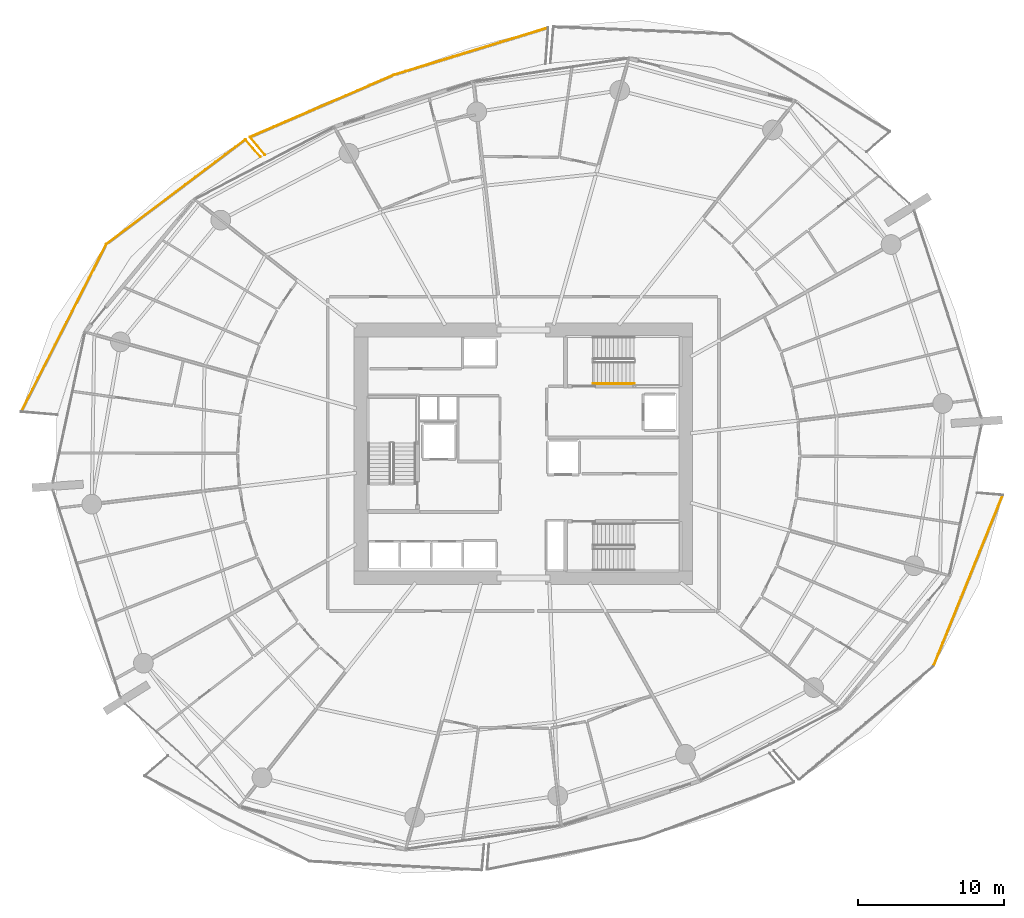
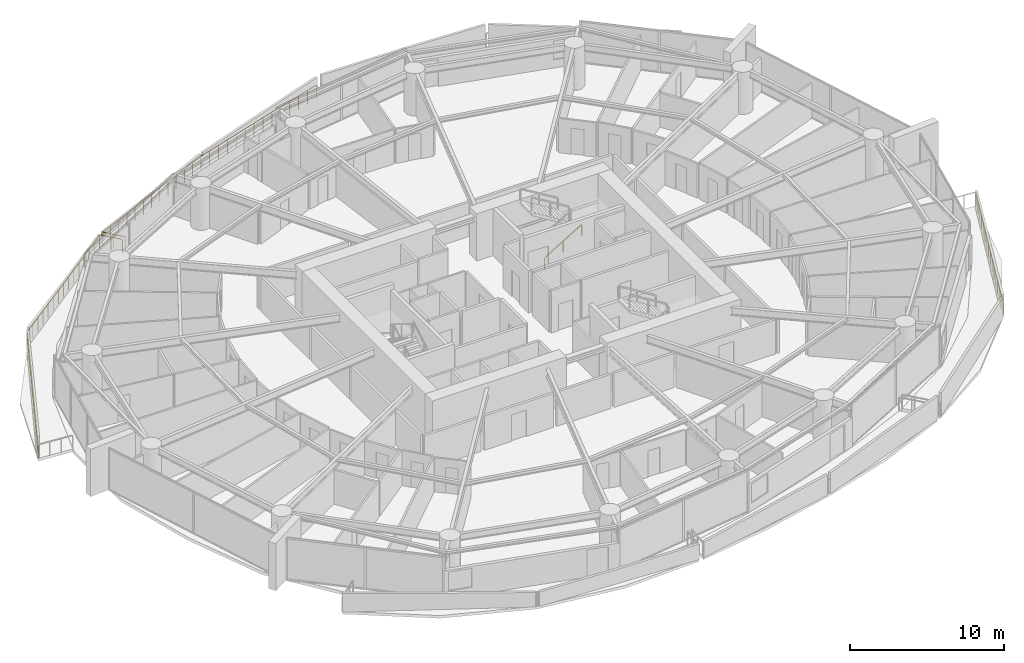
# One storey, part 29 of 31: 8 railings.
"""IFC4 building model written with IfcOpenShell, lengths in metres."""

from ifc_helpers import new_model, si_unit, direction, frame, origin, origin_2d, place, context, subcontext, project, spatial, rectangle, extrude, material, type_object, element, save


model = new_model("IFC4")

# Units and contexts
model_context = context("Model", 3, precision=1e-05, world=origin(), true_north=direction((0.0, 1.0)))
body_context = subcontext(model_context, "Body", "Model", "MODEL_VIEW")
ifc_project = project(units=[si_unit("LENGTHUNIT", "METRE"), si_unit("AREAUNIT", "SQUARE_METRE"), si_unit("VOLUMEUNIT", "CUBIC_METRE"), si_unit("PLANEANGLEUNIT", "RADIAN"), si_unit("MASSUNIT", "GRAM", prefix="KILO")], contexts=[model_context])

# Site, building, storey
site_placement = place(None, origin())
site = spatial("IfcSite", under=ifc_project, at=site_placement, CompositionType="ELEMENT")
building_placement = place(site_placement, origin())
building = spatial("IfcBuilding", under=site, at=building_placement, Name="Kazma Halo Residences", CompositionType="ELEMENT")
storey_placement = place(building_placement, frame((0.0, 0.0, 67.64990234375)))
storey = spatial("IfcBuildingStorey", under=building, at=storey_placement, Name="L16", CompositionType="ELEMENT", Elevation=67.64990234375)

# Railings
ifc_material_1 = material(Name="Aluminium AW-6063 T6 Brushed Cap Rail", Category="aluminium")
railing_type_1 = type_object("IfcRailingType", Name="RLG-BAL-CAP-1120", PredefinedType="BALUSTRADE", material=ifc_material_1)
railing_1_placement = place(storey_placement, frame((50.1142578125, 71.139892578125, 0.0)))
element("IfcRailing", 1, at=railing_1_placement, inside=storey, type_object=railing_type_1, Name="L16 NNW wave balcony guard 2", PredefinedType="BALUSTRADE", context=body_context, shape_type="SweptSolid", body=[
    extrude(rectangle(XDim=0.050048828125, YDim=0.050048828125, at=origin_2d()), frame((-0.040771484375, -0.012451171875, 1.09521484375), z_axis=(-0.956260694262, -0.29251578523, 0.0), x_axis=(0.29251578523, -0.956260694262, 0.0)), (0.0, 0.0, 1.0), 10.931884765625),
    extrude(rectangle(XDim=0.0400390625, YDim=0.0400390625, at=origin_2d()), origin(), (0.0, 0.0, 1.0), 1.05810546875),
    extrude(rectangle(XDim=0.0400390625, YDim=0.0400390625, at=origin_2d()), frame((-0.810302734375, -0.247802734375, 0.0)), (0.0, 0.0, 1.0), 1.05810546875),
    extrude(rectangle(XDim=0.0400390625, YDim=0.0400390625, at=origin_2d()), frame((-1.620849609375, -0.495849609375, 0.0)), (0.0, 0.0, 1.0), 1.05810546875),
    extrude(rectangle(XDim=0.0400390625, YDim=0.0400390625, at=origin_2d()), frame((-2.43115234375, -0.74365234375, 0.0)), (0.0, 0.0, 1.0), 1.05810546875),
    extrude(rectangle(XDim=0.0400390625, YDim=0.0400390625, at=origin_2d()), frame((-3.24169921875, -0.99169921875, 0.0)), (0.0, 0.0, 1.0), 1.05810546875),
    extrude(rectangle(XDim=0.0400390625, YDim=0.0400390625, at=origin_2d()), frame((-4.052001953125, -1.239501953125, 0.0)), (0.0, 0.0, 1.0), 1.05810546875),
    extrude(rectangle(XDim=0.0400390625, YDim=0.0400390625, at=origin_2d()), frame((-4.8623046875, -1.4873046875, 0.0)), (0.0, 0.0, 1.0), 1.05810546875),
    extrude(rectangle(XDim=0.0400390625, YDim=0.0400390625, at=origin_2d()), frame((-5.6728515625, -1.7353515625, 0.0)), (0.0, 0.0, 1.0), 1.05810546875),
    extrude(rectangle(XDim=0.0400390625, YDim=0.0400390625, at=origin_2d()), frame((-6.483154296875, -1.983154296875, 0.0)), (0.0, 0.0, 1.0), 1.05810546875),
    extrude(rectangle(XDim=0.0400390625, YDim=0.0400390625, at=origin_2d()), frame((-7.29345703125, -2.23095703125, 0.0)), (0.0, 0.0, 1.0), 1.05810546875),
    extrude(rectangle(XDim=0.0400390625, YDim=0.0400390625, at=origin_2d()), frame((-8.10400390625, -2.47900390625, 0.0)), (0.0, 0.0, 1.0), 1.05810546875),
    extrude(rectangle(XDim=0.0400390625, YDim=0.0400390625, at=origin_2d()), frame((-8.914306640625, -2.726806640625, 0.0)), (0.0, 0.0, 1.0), 1.05810546875),
    extrude(rectangle(XDim=0.0400390625, YDim=0.0400390625, at=origin_2d()), frame((-9.724853515625, -2.974853515625, 0.0)), (0.0, 0.0, 1.0), 1.05810546875),
    extrude(rectangle(XDim=0.0400390625, YDim=0.0400390625, at=origin_2d()), frame((-10.53515625, -3.22265625, 0.0)), (0.0, 0.0, 1.0), 1.05810546875),
])
railing_2_placement = place(storey_placement, frame((39.5791015625, 67.917236328125, 0.0)))
element("IfcRailing", 2, at=railing_2_placement, inside=storey, type_object=railing_type_1, Name="L16 NNW wave balcony guard 3", PredefinedType="BALUSTRADE", context=body_context, shape_type="SweptSolid", body=[
    extrude(rectangle(XDim=0.050048828125, YDim=0.050048828125, at=origin_2d()), frame((-0.0390625, -0.016845703125, 1.09521484375), z_axis=(-0.917882347647, -0.396852612285, 0.0), x_axis=(0.396852612285, -0.917882347647, 0.0)), (0.0, 0.0, 1.0), 10.645751953125),
    extrude(rectangle(XDim=0.0400390625, YDim=0.0400390625, at=origin_2d()), origin(), (0.0, 0.0, 1.0), 1.05810546875),
    extrude(rectangle(XDim=0.0400390625, YDim=0.0400390625, at=origin_2d()), frame((-0.82080078125, -0.35498046875, 0.0)), (0.0, 0.0, 1.0), 1.05810546875),
    extrude(rectangle(XDim=0.0400390625, YDim=0.0400390625, at=origin_2d()), frame((-1.6416015625, -0.709716796875, 0.0)), (0.0, 0.0, 1.0), 1.05810546875),
    extrude(rectangle(XDim=0.0400390625, YDim=0.0400390625, at=origin_2d()), frame((-2.46240234375, -1.064697265625, 0.0)), (0.0, 0.0, 1.0), 1.05810546875),
    extrude(rectangle(XDim=0.0400390625, YDim=0.0400390625, at=origin_2d()), frame((-3.283203125, -1.41943359375, 0.0)), (0.0, 0.0, 1.0), 1.05810546875),
    extrude(rectangle(XDim=0.0400390625, YDim=0.0400390625, at=origin_2d()), frame((-4.10400390625, -1.7744140625, 0.0)), (0.0, 0.0, 1.0), 1.05810546875),
    extrude(rectangle(XDim=0.0400390625, YDim=0.0400390625, at=origin_2d()), frame((-4.9248046875, -2.12939453125, 0.0)), (0.0, 0.0, 1.0), 1.05810546875),
    extrude(rectangle(XDim=0.0400390625, YDim=0.0400390625, at=origin_2d()), frame((-5.74560546875, -2.484130859375, 0.0)), (0.0, 0.0, 1.0), 1.05810546875),
    extrude(rectangle(XDim=0.0400390625, YDim=0.0400390625, at=origin_2d()), frame((-6.56640625, -2.839111328125, 0.0)), (0.0, 0.0, 1.0), 1.05810546875),
    extrude(rectangle(XDim=0.0400390625, YDim=0.0400390625, at=origin_2d()), frame((-7.38720703125, -3.19384765625, 0.0)), (0.0, 0.0, 1.0), 1.05810546875),
    extrude(rectangle(XDim=0.0400390625, YDim=0.0400390625, at=origin_2d()), frame((-8.2080078125, -3.548828125, 0.0)), (0.0, 0.0, 1.0), 1.05810546875),
    extrude(rectangle(XDim=0.0400390625, YDim=0.0400390625, at=origin_2d()), frame((-9.02880859375, -3.903564453125, 0.0)), (0.0, 0.0, 1.0), 1.05810546875),
    extrude(rectangle(XDim=0.0400390625, YDim=0.0400390625, at=origin_2d()), frame((-9.849609375, -4.258544921875, 0.0)), (0.0, 0.0, 1.0), 1.05810546875),
])
railing_3_placement = place(storey_placement, frame((29.7294921875, 63.65869140625, 0.0)))
element("IfcRailing", 3, at=railing_3_placement, inside=storey, type_object=railing_type_1, Name="L16 NNW wave balcony guard 4", PredefinedType="BALUSTRADE", context=body_context, shape_type="SweptSolid", body=[
    extrude(rectangle(XDim=0.050048828125, YDim=0.050048828125, at=origin_2d()), frame((0.02734375, -0.032470703125, 1.09521484375), z_axis=(0.644747248545, -0.764395830374, 0.0), x_axis=(0.764395830374, 0.644747248545, 0.0)), (0.0, 0.0, 1.0), 1.50048828125),
    extrude(rectangle(XDim=0.0400390625, YDim=0.0400390625, at=origin_2d()), origin(), (0.0, 0.0, 1.0), 1.05810546875),
    extrude(rectangle(XDim=0.0400390625, YDim=0.0400390625, at=origin_2d()), frame((0.51123046875, -0.60595703125, 0.0)), (0.0, 0.0, 1.0), 1.05810546875),
    extrude(rectangle(XDim=0.0400390625, YDim=0.0400390625, at=origin_2d()), frame((1.022216796875, -1.2119140625, 0.0)), (0.0, 0.0, 1.0), 1.05810546875),
])
railing_4_placement = place(storey_placement, frame((30.453857421875, 62.29150390625, 0.0)))
element("IfcRailing", 4, at=railing_4_placement, inside=storey, type_object=railing_type_1, Name="L16 NW wave balcony guard 1", PredefinedType="BALUSTRADE", context=body_context, shape_type="SweptSolid", body=[
    extrude(rectangle(XDim=0.050048828125, YDim=0.050048828125, at=origin_2d()), frame((-0.02783203125, 0.0322265625, 1.09521484375), z_axis=(-0.654071252244, 0.756432942823, 0.0), x_axis=(-0.756432942823, -0.654071252244, 0.0)), (0.0, 0.0, 1.0), 1.505859375),
    extrude(rectangle(XDim=0.0400390625, YDim=0.0400390625, at=origin_2d()), origin(), (0.0, 0.0, 1.0), 1.05810546875),
    extrude(rectangle(XDim=0.0400390625, YDim=0.0400390625, at=origin_2d()), frame((-0.520263671875, 0.6015625, 0.0)), (0.0, 0.0, 1.0), 1.05810546875),
    extrude(rectangle(XDim=0.0400390625, YDim=0.0400390625, at=origin_2d()), frame((-1.04052734375, 1.203369140625, 0.0)), (0.0, 0.0, 1.0), 1.05810546875),
])
railing_5_placement = place(storey_placement, frame((29.413330078125, 63.494873046875, 0.0)))
element("IfcRailing", 5, at=railing_5_placement, inside=storey, type_object=railing_type_1, Name="L16 NW wave balcony guard 2", PredefinedType="BALUSTRADE", context=body_context, shape_type="SweptSolid", body=[
    extrude(rectangle(XDim=0.050048828125, YDim=0.050048828125, at=origin_2d()), frame((-0.033935546875, -0.025634765625, 1.09521484375), z_axis=(-0.798924940179, -0.60143074411, 0.0), x_axis=(0.60143074411, -0.798924940179, 0.0)), (0.0, 0.0, 1.0), 11.837890625),
    extrude(rectangle(XDim=0.0400390625, YDim=0.0400390625, at=origin_2d()), origin(), (0.0, 0.0, 1.0), 1.05810546875),
    extrude(rectangle(XDim=0.0400390625, YDim=0.0400390625, at=origin_2d()), frame((-0.680419921875, -0.51220703125, 0.0)), (0.0, 0.0, 1.0), 1.05810546875),
    extrude(rectangle(XDim=0.0400390625, YDim=0.0400390625, at=origin_2d()), frame((-1.36083984375, -1.0244140625, 0.0)), (0.0, 0.0, 1.0), 1.05810546875),
    extrude(rectangle(XDim=0.0400390625, YDim=0.0400390625, at=origin_2d()), frame((-2.041259765625, -1.53662109375, 0.0)), (0.0, 0.0, 1.0), 1.05810546875),
    extrude(rectangle(XDim=0.0400390625, YDim=0.0400390625, at=origin_2d()), frame((-2.7216796875, -2.048828125, 0.0)), (0.0, 0.0, 1.0), 1.05810546875),
    extrude(rectangle(XDim=0.0400390625, YDim=0.0400390625, at=origin_2d()), frame((-3.402099609375, -2.56103515625, 0.0)), (0.0, 0.0, 1.0), 1.05810546875),
    extrude(rectangle(XDim=0.0400390625, YDim=0.0400390625, at=origin_2d()), frame((-4.08251953125, -3.0732421875, 0.0)), (0.0, 0.0, 1.0), 1.05810546875),
    extrude(rectangle(XDim=0.0400390625, YDim=0.0400390625, at=origin_2d()), frame((-4.7626953125, -3.58544921875, 0.0)), (0.0, 0.0, 1.0), 1.05810546875),
    extrude(rectangle(XDim=0.0400390625, YDim=0.0400390625, at=origin_2d()), frame((-5.443115234375, -4.09765625, 0.0)), (0.0, 0.0, 1.0), 1.05810546875),
    extrude(rectangle(XDim=0.0400390625, YDim=0.0400390625, at=origin_2d()), frame((-6.12353515625, -4.60986328125, 0.0)), (0.0, 0.0, 1.0), 1.05810546875),
    extrude(rectangle(XDim=0.0400390625, YDim=0.0400390625, at=origin_2d()), frame((-6.803955078125, -5.1220703125, 0.0)), (0.0, 0.0, 1.0), 1.05810546875),
    extrude(rectangle(XDim=0.0400390625, YDim=0.0400390625, at=origin_2d()), frame((-7.484375, -5.63427734375, 0.0)), (0.0, 0.0, 1.0), 1.05810546875),
    extrude(rectangle(XDim=0.0400390625, YDim=0.0400390625, at=origin_2d()), frame((-8.164794921875, -6.146484375, 0.0)), (0.0, 0.0, 1.0), 1.05810546875),
    extrude(rectangle(XDim=0.0400390625, YDim=0.0400390625, at=origin_2d()), frame((-8.84521484375, -6.65869140625, 0.0)), (0.0, 0.0, 1.0), 1.05810546875),
    extrude(rectangle(XDim=0.0400390625, YDim=0.0400390625, at=origin_2d()), frame((-9.525634765625, -7.1708984375, 0.0)), (0.0, 0.0, 1.0), 1.05810546875),
])
railing_6_placement = place(storey_placement, frame((19.8876953125, 56.323974609375, 0.0)))
element("IfcRailing", 6, at=railing_6_placement, inside=storey, type_object=railing_type_1, Name="L16 NW wave balcony guard 3", PredefinedType="BALUSTRADE", context=body_context, shape_type="SweptSolid", body=[
    extrude(rectangle(XDim=0.050048828125, YDim=0.050048828125, at=origin_2d()), frame((-0.019287109375, -0.037841796875, 1.09521484375), z_axis=(-0.452781224199, -0.891621647905, 0.0), x_axis=(0.891621647905, -0.452781224199, 0.0)), (0.0, 0.0, 1.0), 12.751708984375),
    extrude(rectangle(XDim=0.0400390625, YDim=0.0400390625, at=origin_2d()), origin(), (0.0, 0.0, 1.0), 1.05810546875),
    extrude(rectangle(XDim=0.0400390625, YDim=0.0400390625, at=origin_2d()), frame((-0.387451171875, -0.762939453125, 0.0)), (0.0, 0.0, 1.0), 1.05810546875),
    extrude(rectangle(XDim=0.0400390625, YDim=0.0400390625, at=origin_2d()), frame((-0.77490234375, -1.526123046875, 0.0)), (0.0, 0.0, 1.0), 1.05810546875),
    extrude(rectangle(XDim=0.0400390625, YDim=0.0400390625, at=origin_2d()), frame((-1.162353515625, -2.2890625, 0.0)), (0.0, 0.0, 1.0), 1.05810546875),
    extrude(rectangle(XDim=0.0400390625, YDim=0.0400390625, at=origin_2d()), frame((-1.550048828125, -3.05224609375, 0.0)), (0.0, 0.0, 1.0), 1.05810546875),
    extrude(rectangle(XDim=0.0400390625, YDim=0.0400390625, at=origin_2d()), frame((-1.9375, -3.815185546875, 0.0)), (0.0, 0.0, 1.0), 1.05810546875),
    extrude(rectangle(XDim=0.0400390625, YDim=0.0400390625, at=origin_2d()), frame((-2.324951171875, -4.578125, 0.0)), (0.0, 0.0, 1.0), 1.05810546875),
    extrude(rectangle(XDim=0.0400390625, YDim=0.0400390625, at=origin_2d()), frame((-2.71240234375, -5.34130859375, 0.0)), (0.0, 0.0, 1.0), 1.05810546875),
    extrude(rectangle(XDim=0.0400390625, YDim=0.0400390625, at=origin_2d()), frame((-3.099853515625, -6.104248046875, 0.0)), (0.0, 0.0, 1.0), 1.05810546875),
    extrude(rectangle(XDim=0.0400390625, YDim=0.0400390625, at=origin_2d()), frame((-3.4873046875, -6.867431640625, 0.0)), (0.0, 0.0, 1.0), 1.05810546875),
    extrude(rectangle(XDim=0.0400390625, YDim=0.0400390625, at=origin_2d()), frame((-3.874755859375, -7.63037109375, 0.0)), (0.0, 0.0, 1.0), 1.05810546875),
    extrude(rectangle(XDim=0.0400390625, YDim=0.0400390625, at=origin_2d()), frame((-4.26220703125, -8.393310546875, 0.0)), (0.0, 0.0, 1.0), 1.05810546875),
    extrude(rectangle(XDim=0.0400390625, YDim=0.0400390625, at=origin_2d()), frame((-4.64990234375, -9.156494140625, 0.0)), (0.0, 0.0, 1.0), 1.05810546875),
    extrude(rectangle(XDim=0.0400390625, YDim=0.0400390625, at=origin_2d()), frame((-5.037353515625, -9.91943359375, 0.0)), (0.0, 0.0, 1.0), 1.05810546875),
    extrude(rectangle(XDim=0.0400390625, YDim=0.0400390625, at=origin_2d()), frame((-5.4248046875, -10.6826171875, 0.0)), (0.0, 0.0, 1.0), 1.05810546875),
    extrude(rectangle(XDim=0.0400390625, YDim=0.0400390625, at=origin_2d()), frame((-5.812255859375, -11.445556640625, 0.0)), (0.0, 0.0, 1.0), 1.05810546875),
])
railing_7_placement = place(storey_placement, frame((76.466796875, 27.49560546875, 0.0)))
element("IfcRailing", 7, at=railing_7_placement, inside=storey, type_object=railing_type_1, Name="L16 SE wave balcony guard 3", PredefinedType="BALUSTRADE", context=body_context, shape_type="SweptSolid", body=[
    extrude(rectangle(XDim=0.050048828125, YDim=0.050048828125, at=origin_2d()), frame((0.015869140625, 0.039306640625, 1.09521484375), z_axis=(0.375742405834, 0.926724146906, 0.0), x_axis=(-0.926724146906, 0.375742405834, 0.0)), (0.0, 0.0, 1.0), 12.526123046875),
    extrude(rectangle(XDim=0.0400390625, YDim=0.0400390625, at=origin_2d()), origin(), (0.0, 0.0, 1.0), 1.05810546875),
    extrude(rectangle(XDim=0.0400390625, YDim=0.0400390625, at=origin_2d()), frame((0.31591796875, 0.779052734375, 0.0)), (0.0, 0.0, 1.0), 1.05810546875),
    extrude(rectangle(XDim=0.0400390625, YDim=0.0400390625, at=origin_2d()), frame((0.6318359375, 1.558349609375, 0.0)), (0.0, 0.0, 1.0), 1.05810546875),
    extrude(rectangle(XDim=0.0400390625, YDim=0.0400390625, at=origin_2d()), frame((0.94775390625, 2.33740234375, 0.0)), (0.0, 0.0, 1.0), 1.05810546875),
    extrude(rectangle(XDim=0.0400390625, YDim=0.0400390625, at=origin_2d()), frame((1.263671875, 3.116455078125, 0.0)), (0.0, 0.0, 1.0), 1.05810546875),
    extrude(rectangle(XDim=0.0400390625, YDim=0.0400390625, at=origin_2d()), frame((1.57958984375, 3.895751953125, 0.0)), (0.0, 0.0, 1.0), 1.05810546875),
    extrude(rectangle(XDim=0.0400390625, YDim=0.0400390625, at=origin_2d()), frame((1.8955078125, 4.6748046875, 0.0)), (0.0, 0.0, 1.0), 1.05810546875),
    extrude(rectangle(XDim=0.0400390625, YDim=0.0400390625, at=origin_2d()), frame((2.21142578125, 5.453857421875, 0.0)), (0.0, 0.0, 1.0), 1.05810546875),
    extrude(rectangle(XDim=0.0400390625, YDim=0.0400390625, at=origin_2d()), frame((2.527099609375, 6.233154296875, 0.0)), (0.0, 0.0, 1.0), 1.05810546875),
    extrude(rectangle(XDim=0.0400390625, YDim=0.0400390625, at=origin_2d()), frame((2.843017578125, 7.01220703125, 0.0)), (0.0, 0.0, 1.0), 1.05810546875),
    extrude(rectangle(XDim=0.0400390625, YDim=0.0400390625, at=origin_2d()), frame((3.158935546875, 7.791259765625, 0.0)), (0.0, 0.0, 1.0), 1.05810546875),
    extrude(rectangle(XDim=0.0400390625, YDim=0.0400390625, at=origin_2d()), frame((3.474853515625, 8.570556640625, 0.0)), (0.0, 0.0, 1.0), 1.05810546875),
    extrude(rectangle(XDim=0.0400390625, YDim=0.0400390625, at=origin_2d()), frame((3.790771484375, 9.349609375, 0.0)), (0.0, 0.0, 1.0), 1.05810546875),
    extrude(rectangle(XDim=0.0400390625, YDim=0.0400390625, at=origin_2d()), frame((4.106689453125, 10.128662109375, 0.0)), (0.0, 0.0, 1.0), 1.05810546875),
    extrude(rectangle(XDim=0.0400390625, YDim=0.0400390625, at=origin_2d()), frame((4.422607421875, 10.907958984375, 0.0)), (0.0, 0.0, 1.0), 1.05810546875),
    extrude(rectangle(XDim=0.0400390625, YDim=0.0400390625, at=origin_2d()), frame((4.738525390625, 11.68701171875, 0.0)), (0.0, 0.0, 1.0), 1.05810546875),
])
ifc_material_2 = material(Name="Brushed Stainless Steel", Category="steel")
railing_type_2 = type_object("IfcRailingType", Name="RLG-STAIR-HND-900", PredefinedType="HANDRAIL", material=ifc_material_2)
railing_8_placement = place(storey_placement, frame((53.199951171875, 46.800048828125, 0.170654296875)))
element("IfcRailing", 8, at=railing_8_placement, inside=storey, type_object=railing_type_2, Name="L16 ST-02 stair handrail 1", PredefinedType="HANDRAIL", context=body_context, shape_type="SweptSolid", body=[
    extrude(rectangle(XDim=0.050048828125, YDim=0.050048828125, at=origin_2d()), frame((0.036376953125, 0.0, 0.89697265625), z_axis=(0.854202870247, 0.0, 0.519939858505), x_axis=(0.0, 1.0, 0.0)), (0.0, 0.0, 1.0), 3.19287109375),
    extrude(rectangle(XDim=0.0400390625, YDim=0.0400390625, at=origin_2d()), origin(), (0.0, 0.0, 1.0), 0.837890625),
    extrude(rectangle(XDim=0.0400390625, YDim=0.0400390625, at=origin_2d()), frame((1.39990234375, 0.0, 0.85205078125)), (0.0, 0.0, 1.0), 0.837890625),
    extrude(rectangle(XDim=0.0400390625, YDim=0.0400390625, at=origin_2d()), frame((2.800048828125, 0.0, 1.704345703125)), (0.0, 0.0, 1.0), 0.837890625),
])

save(model, "model.ifc")
